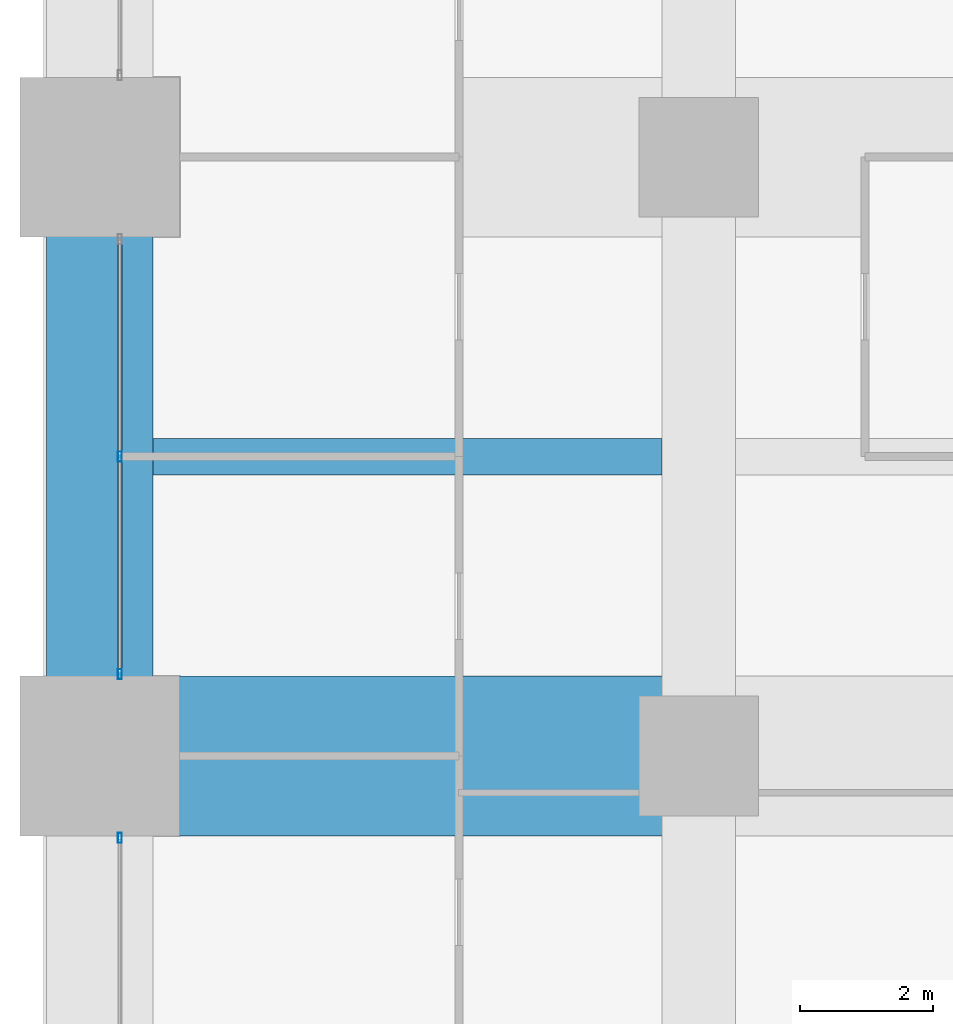
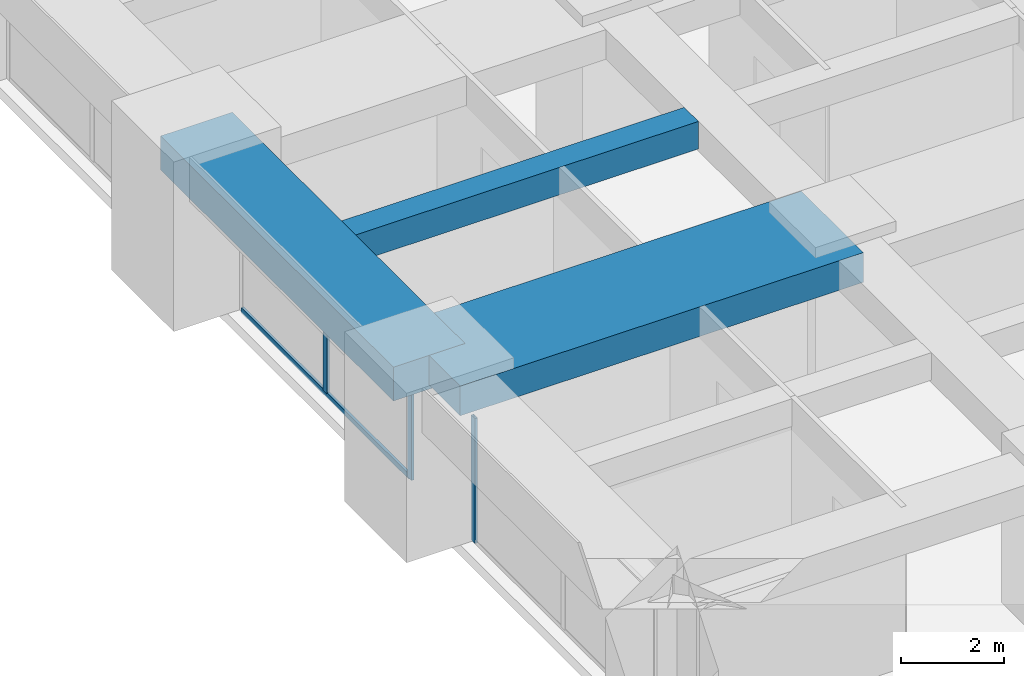
# One storey, part 9 of 43: 4 members, 3 beams, 2 elements without a shape of their own.
"""IFC4 building model written with IfcOpenShell, lengths in metres."""

from ifc_helpers import new_model, si_unit, direction, frame, origin, origin_2d, place, context, subcontext, project, spatial, rectangle, hollow_rectangle, extrude, material, material_profile, profile_set, type_object, element, aggregate, save


model = new_model("IFC4")

# Units and contexts
model_context = context("Model", 3, precision=1e-05, world=origin(), true_north=direction((0.0, 1.0)))
body_context = subcontext(model_context, "Body", "Model", "MODEL_VIEW")
ifc_project = project(units=[si_unit("LENGTHUNIT", "METRE"), si_unit("AREAUNIT", "SQUARE_METRE"), si_unit("VOLUMEUNIT", "CUBIC_METRE"), si_unit("PLANEANGLEUNIT", "RADIAN"), si_unit("MASSUNIT", "GRAM", prefix="KILO")], contexts=[model_context])

# Site, building, storey
site_placement = place(None, origin())
site = spatial("IfcSite", under=ifc_project, at=site_placement, CompositionType="ELEMENT")
building_placement = place(site_placement, origin())
building = spatial("IfcBuilding", under=site, at=building_placement, Name="Zorevar Civic Tower", CompositionType="ELEMENT")
storey_placement = place(building_placement, frame((0.0, 0.0, 141.0)))
storey = spatial("IfcBuildingStorey", under=building, at=storey_placement, Name="L34", CompositionType="ELEMENT", Elevation=141.0)

# Beams
ifc_material_1 = material(Name="Concrete C50/60", Category="concrete")
ifc_material_profile_1 = material_profile(ifc_material_1, rectangle(XDim=2.39990234375, YDim=0.699951171875, at=origin_2d()), Name="RC 2400x700")
ifc_profile_set_1 = profile_set([ifc_material_profile_1], Name="Concrete C50/60")
beam_type_1 = type_object("IfcBeamType", Name="Beam RC 2400x700", PredefinedType="BEAM", material=ifc_profile_set_1)
beam_1_placement = place(storey_placement, frame((0.0, 18.0, 3.39990234375), z_axis=(1.0, 0.0, 0.0), x_axis=(0.0, 1.0, 0.0)))
element("IfcBeam", 1, at=beam_1_placement, inside=storey, type_object=beam_type_1, Name="Girder L35", PredefinedType="BEAM", context=body_context, shape_type="SweptSolid", body=[
    extrude(rectangle(XDim=2.39990234375, YDim=0.699951171875, at=origin_2d()), origin(), (0.0, 0.0, 1.0), 9.0),
])
ifc_material_2 = material(Name="Concrete C50/60", Category="concrete")
ifc_material_profile_2 = material_profile(ifc_material_2, rectangle(XDim=0.550048828125, YDim=0.64990234375, at=origin_2d()), Name="RC 550x650")
ifc_profile_set_2 = profile_set([ifc_material_profile_2], Name="Concrete C50/60")
beam_type_2 = type_object("IfcBeamType", Name="Beam RC 550x650", PredefinedType="BEAM", material=ifc_profile_set_2)
beam_2_placement = place(storey_placement, frame((0.800048828125, 22.5, 3.425048828125), z_axis=(1.0, 0.0, 0.0), x_axis=(0.0, 1.0, 0.0)))
element("IfcBeam", 2, at=beam_2_placement, inside=storey, type_object=beam_type_2, Name="Secondary beam L35", PredefinedType="BEAM", context=body_context, shape_type="SweptSolid", body=[
    extrude(rectangle(XDim=0.550048828125, YDim=0.64990234375, at=origin_2d()), origin(), (0.0, 0.0, 1.0), 7.64990234375),
])

# Curtain wall, member
ifc_material_3 = material(Name="Dark grey solar-control glass in black aluminium frame", Category="aluminium")
curtain_wall_type = type_object("IfcCurtainWallType", Name="Curtain wall CW3 mid zone", PredefinedType="NOTDEFINED", material=ifc_material_3)
curtain_wall_1_placement = place(storey_placement, origin())
curtain_wall_1 = element("IfcCurtainWall", 3, at=curtain_wall_1_placement, inside=storey, type_object=curtain_wall_type, Name="CW3 L34", PredefinedType="NOTDEFINED")
ifc_material_4 = material(Name="Aluminium, black anodised", Category="aluminium")
ifc_material_profile_3 = material_profile(ifc_material_4, hollow_rectangle(XDim=0.06005859375, YDim=0.14990234375, WallThickness=0.00390625, at=origin_2d()), Name="AL 150x60x4")
ifc_profile_set_3 = profile_set([ifc_material_profile_3], Name="Aluminium, black anodised")
member_type_1 = type_object("IfcMemberType", Name="CW3 mullion AL 150x60x4", PredefinedType="MULLION", material=ifc_profile_set_3)
member_1_placement = place(storey_placement, frame((0.300048828125, 16.77001953125, 0.0), z_axis=(0.0, 0.0, 1.0), x_axis=(-1.0, 0.0, 0.0)))
member_1 = element("IfcMember", 4, at=member_1_placement, type_object=member_type_1, Name="CW3 mullion 3", PredefinedType="MULLION", context=body_context, shape_type="SweptSolid", body=[
    extrude(hollow_rectangle(XDim=0.06005859375, YDim=0.14990234375, WallThickness=0.00390625, at=origin_2d()), origin(), (0.0, 0.0, 1.0), 2.949951171875),
])
aggregate(curtain_wall_1, [member_1])

# Curtain wall, members
curtain_wall_2_placement = place(storey_placement, origin())
curtain_wall_2 = element("IfcCurtainWall", 5, at=curtain_wall_2_placement, inside=storey, type_object=curtain_wall_type, Name="CW3 L34", PredefinedType="NOTDEFINED")
member_2_placement = place(storey_placement, frame((0.300048828125, 19.22998046875, 0.0), z_axis=(0.0, 0.0, 1.0), x_axis=(-1.0, 0.0, 0.0)))
member_2 = element("IfcMember", 6, at=member_2_placement, type_object=member_type_1, Name="CW3 mullion 1", PredefinedType="MULLION", context=body_context, shape_type="SweptSolid", body=[
    extrude(hollow_rectangle(XDim=0.06005859375, YDim=0.14990234375, WallThickness=0.00390625, at=origin_2d()), origin(), (0.0, 0.0, 1.0), 2.949951171875),
])
member_3_placement = place(storey_placement, frame((0.300048828125, 22.5, 0.06005859375), z_axis=(0.0, 0.0, 1.0), x_axis=(-1.0, 0.0, 0.0)))
member_3 = element("IfcMember", 7, at=member_3_placement, type_object=member_type_1, Name="CW3 mullion 2", PredefinedType="MULLION", context=body_context, shape_type="SweptSolid", body=[
    extrude(hollow_rectangle(XDim=0.06005859375, YDim=0.14990234375, WallThickness=0.00390625, at=origin_2d()), origin(), (0.0, 0.0, 1.0), 2.889892578125),
])
ifc_material_5 = material(Name="Aluminium, black anodised", Category="aluminium")
ifc_material_profile_4 = material_profile(ifc_material_5, hollow_rectangle(XDim=0.06005859375, YDim=0.1201171875, WallThickness=0.0029296875, at=origin_2d()), Name="AL 120x60x3")
ifc_profile_set_4 = profile_set([ifc_material_profile_4], Name="Aluminium, black anodised")
member_type_2 = type_object("IfcMemberType", Name="CW3 transom AL 120x60x3", PredefinedType="USERDEFINED", material=ifc_profile_set_4)
member_4_placement = place(storey_placement, frame((0.300048828125, 19.260009765625, 0.030029296875), z_axis=(0.0, 1.0, 0.0), x_axis=(-1.0, 0.0, 0.0)))
member_4 = element("IfcMember", 8, at=member_4_placement, type_object=member_type_2, Name="CW3 sill transom", ObjectType="TRANSOM", PredefinedType="USERDEFINED", context=body_context, shape_type="SweptSolid", body=[
    extrude(hollow_rectangle(XDim=0.06005859375, YDim=0.1201171875, WallThickness=0.0029296875, at=origin_2d()), origin(), (0.0, 0.0, 1.0), 6.47998046875),
])
aggregate(curtain_wall_2, [member_2, member_3, member_4])

# Beam
ifc_material_6 = material(Name="Concrete C50/60", Category="concrete")
ifc_material_profile_5 = material_profile(ifc_material_6, rectangle(XDim=1.60009765625, YDim=0.800048828125, at=origin_2d()), Name="RC 1600x800")
ifc_profile_set_5 = profile_set([ifc_material_profile_5], Name="Concrete C50/60")
beam_type_3 = type_object("IfcBeamType", Name="Edge beam RC 1600x800", PredefinedType="SPANDREL", material=ifc_profile_set_5)
beam_3_placement = place(storey_placement, frame((0.0, 18.0, 3.35009765625), z_axis=(0.0, 1.0, 0.0), x_axis=(-1.0, 0.0, 0.0)))
element("IfcBeam", 9, at=beam_3_placement, inside=storey, type_object=beam_type_3, Name="Edge beam L35", PredefinedType="SPANDREL", context=body_context, shape_type="SweptSolid", body=[
    extrude(rectangle(XDim=1.60009765625, YDim=0.800048828125, at=origin_2d()), origin(), (0.0, 0.0, 1.0), 9.0),
])

save(model, "model.ifc")
